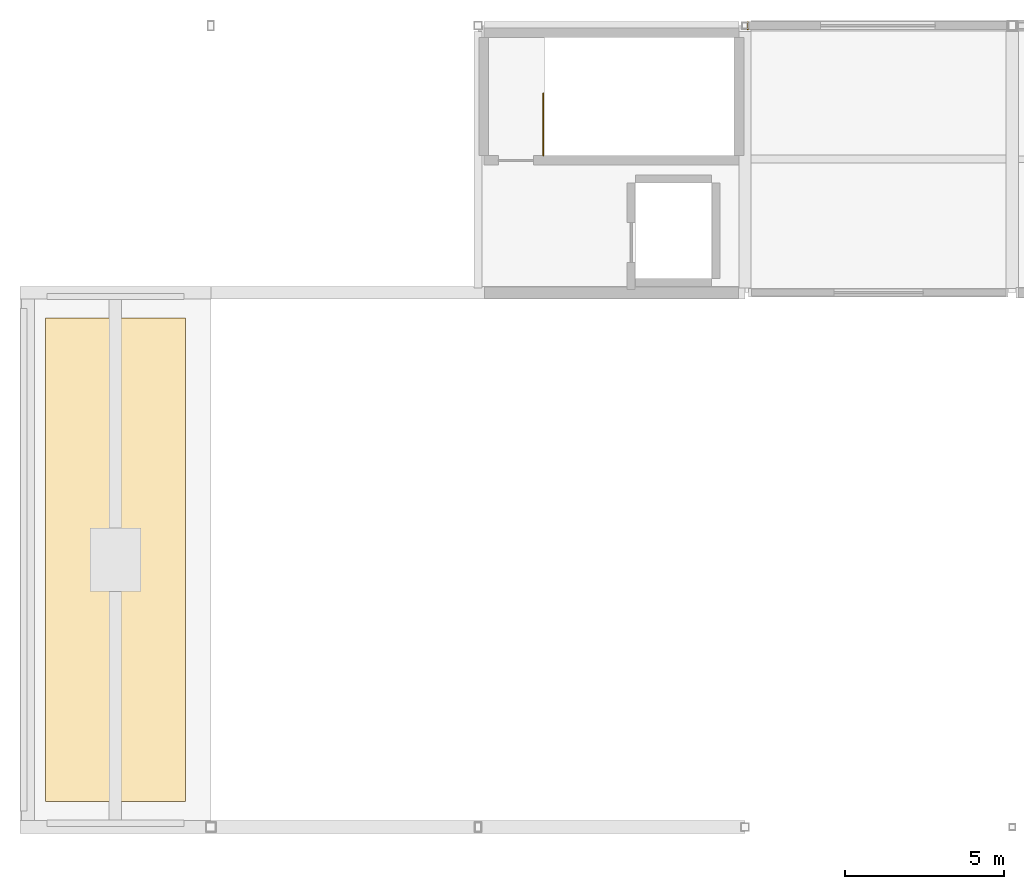
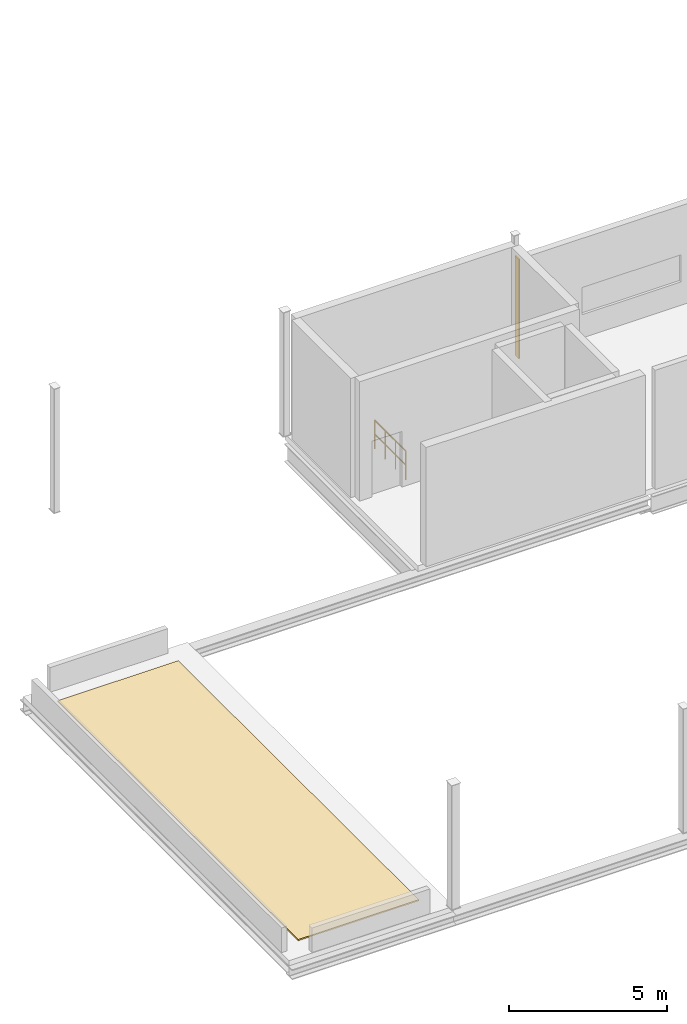
# One storey, part 23 of 27: 2 coverings, 1 railing.
"""IFC4 building model written with IfcOpenShell, lengths in metres."""

from ifc_helpers import new_model, si_unit, direction, frame, origin, origin_2d, place, context, subcontext, project, spatial, polyline, circle, outline, extrude, material, layer, layer_set, type_object, element, save


model = new_model("IFC4")

# Units and contexts
model_context = context("Model", 3, precision=1e-05, world=origin(), true_north=direction((0.0, 1.0)))
body_context = subcontext(model_context, "Body", "Model", "MODEL_VIEW")
ifc_project = project(units=[si_unit("LENGTHUNIT", "METRE"), si_unit("AREAUNIT", "SQUARE_METRE"), si_unit("VOLUMEUNIT", "CUBIC_METRE"), si_unit("PLANEANGLEUNIT", "RADIAN"), si_unit("MASSUNIT", "GRAM", prefix="KILO")], contexts=[model_context])

# Site, building, storey
site_placement = place(None, origin())
site = spatial("IfcSite", under=ifc_project, at=site_placement, CompositionType="ELEMENT")
building_placement = place(site_placement, origin())
building = spatial("IfcBuilding", under=site, at=building_placement, Name="Calvrana Isthmian Art Gallery", CompositionType="ELEMENT")
storey_placement = place(building_placement, frame((0.0, 0.0, 24.60009765625)))
storey = spatial("IfcBuildingStorey", under=building, at=storey_placement, Name="L05", CompositionType="ELEMENT", Elevation=24.60009765625)

# Coverings
ifc_material_1 = material(Name="Polychrome glazed terracotta", Category="masonry")
ifc_layer_1 = layer(ifc_material_1, 0.0400390625, Name="Polychrome glazed terracotta")
ifc_layer_set_1 = layer_set([ifc_layer_1], Name="Polychrome glazed terracotta")
covering_type_1 = type_object("IfcCoveringType", Name="COV-CLAD-TERRA", PredefinedType="CLADDING", material=ifc_layer_set_1)
covering_1_placement = place(storey_placement, origin())
element("IfcCovering", 1, at=covering_1_placement, inside=storey, type_object=covering_type_1, Name="Column pocket weather closure L05-05-06-W", PredefinedType="CLADDING", context=body_context, shape_type="SweptSolid", body=[
    extrude(outline(polyline([(38.461669921875, 46.675048828125), (38.501708984375, 46.675048828125), (38.501708984375, 46.925048828125), (38.461669921875, 46.925048828125), (38.461669921875, 46.675048828125)])), origin(), (0.0, 0.0, 1.0), 3.84228515625),
])
ifc_material_2 = material(Name="Standing-seam zinc-aluminium roofing", Category="aluminium")
ifc_layer_2 = layer(ifc_material_2, 0.050048828125, Name="Standing-seam zinc-aluminium roofing")
ifc_layer_set_2 = layer_set([ifc_layer_2], Name="Standing-seam zinc-aluminium roofing")
covering_type_2 = type_object("IfcCoveringType", Name="COV-ROOF-ZINC", PredefinedType="ROOFING", material=ifc_layer_set_2)
covering_2_placement = place(storey_placement, origin())
element("IfcCovering", 2, at=covering_2_placement, inside=storey, type_object=covering_type_2, Name="Insulated roof membrane ROOF_LOOKOUT_L05", PredefinedType="ROOFING", context=body_context, shape_type="SweptSolid", body=[
    extrude(outline(polyline([(16.39990234375, 22.39990234375), (20.800048828125, 22.39990234375), (20.800048828125, 37.60009765625), (16.39990234375, 37.60009765625), (16.39990234375, 22.39990234375)])), origin(), (0.0, 0.0, 1.0), 0.0498046875),
])

# Railing
ifc_material_3 = material(Name="Stainless steel 316", Category="steel")
railing_type = type_object("IfcRailingType", Name="RL-GUARD-1120", PredefinedType="BALUSTRADE", material=ifc_material_3)
railing_placement = place(storey_placement, frame((32.050048828125, 42.7099609375, 0.0)))
element("IfcRailing", 3, at=railing_placement, inside=storey, type_object=railing_type, Name="Stair ST-1 top well guard 1", PredefinedType="BALUSTRADE", context=body_context, shape_type="SweptSolid", body=[
    extrude(circle(Radius=0.02392578125, at=origin_2d()), frame((0.0, 0.0, 1.09619140625), z_axis=(0.0, 1.0, 0.0), x_axis=(-1.0, 0.0, 0.0)), (0.0, 0.0, 1.0), 1.9599609375),
    extrude(circle(Radius=0.02392578125, at=origin_2d()), frame((0.0, 0.0, 0.56005859375), z_axis=(0.0, 1.0, 0.0), x_axis=(-1.0, 0.0, 0.0)), (0.0, 0.0, 1.0), 1.9599609375),
    extrude(circle(Radius=0.02099609375, at=origin_2d()), origin(), (0.0, 0.0, 1.0), 1.072021484375),
    extrude(circle(Radius=0.02099609375, at=origin_2d()), frame((0.0, 0.6533203125, 0.0)), (0.0, 0.0, 1.0), 1.072021484375),
    extrude(circle(Radius=0.02099609375, at=origin_2d()), frame((0.0, 1.306640625, 0.0)), (0.0, 0.0, 1.0), 1.072021484375),
    extrude(circle(Radius=0.02099609375, at=origin_2d()), frame((0.0, 1.9599609375, 0.0)), (0.0, 0.0, 1.0), 1.072021484375),
])

save(model, "model.ifc")
